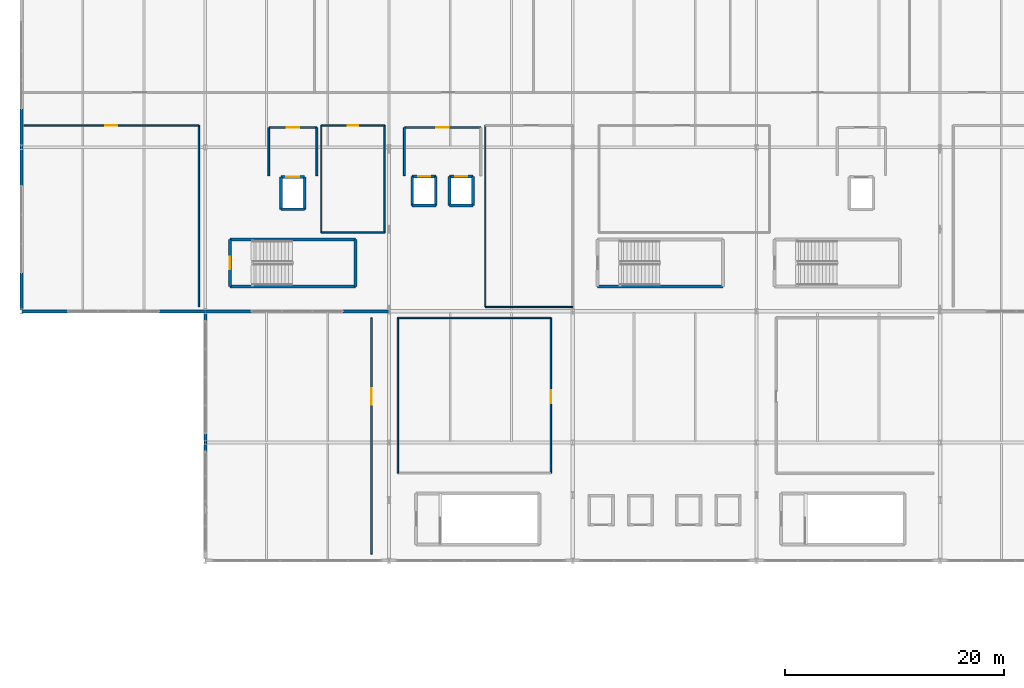
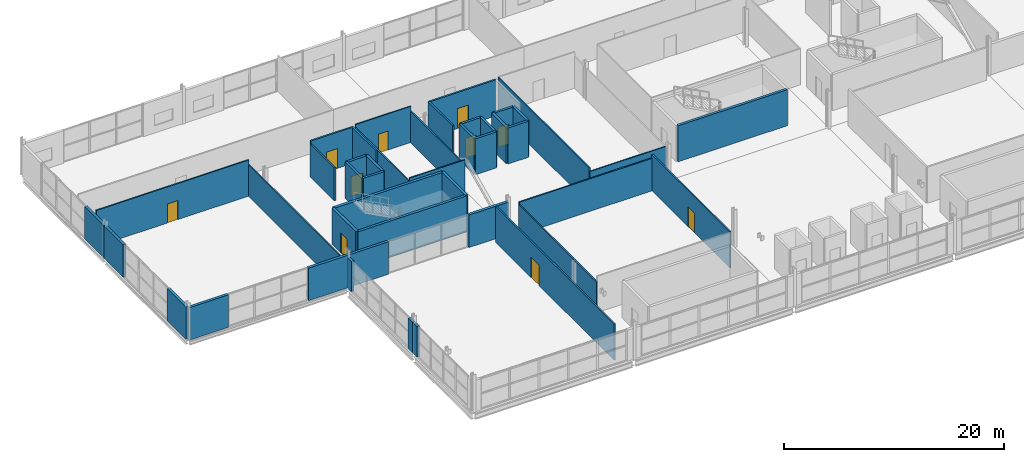
# One storey, part 31 of 39: 44 walls, 10 doors, 10 openings.
"""IFC4 building model written with IfcOpenShell, lengths in metres."""

from ifc_helpers import new_model, si_unit, direction, frame, frame_2d, origin, place, context, subcontext, project, spatial, rectangle, extrude, material, layer, layer_set, type_object, element, fill, save


model = new_model("IFC4")

# Units and contexts
model_context = context("Model", 3, precision=1e-05, world=origin(), true_north=direction((0.0, 1.0)))
body_context = subcontext(model_context, "Body", "Model", "MODEL_VIEW")
ifc_project = project(units=[si_unit("LENGTHUNIT", "METRE"), si_unit("AREAUNIT", "SQUARE_METRE"), si_unit("VOLUMEUNIT", "CUBIC_METRE"), si_unit("PLANEANGLEUNIT", "RADIAN"), si_unit("MASSUNIT", "GRAM", prefix="KILO")], contexts=[model_context])

# Site, building, storey
site_placement = place(None, origin())
site = spatial("IfcSite", under=ifc_project, at=site_placement, CompositionType="ELEMENT")
building_placement = place(site_placement, origin())
building = spatial("IfcBuilding", under=site, at=building_placement, Name="Kimbaza Rail Terminus", CompositionType="ELEMENT")
storey_placement = place(building_placement, frame((0.0, 0.0, 16.800048828125)))
storey = spatial("IfcBuildingStorey", under=building, at=storey_placement, Name="L03", CompositionType="ELEMENT", Elevation=16.800048828125)

# Walls
ifc_material_1 = material(Name="Precast concrete C40/50", Category="concrete")
ifc_layer_1 = layer(ifc_material_1, 0.280029296875)
ifc_layer_set_1 = layer_set([ifc_layer_1], Name="Precast concrete C40/50")
wall_type_1 = type_object("IfcWallType", Name="ARC-WL-EXT280", PredefinedType="STANDARD", material=ifc_layer_set_1)
for number, where, z_axis, x_axis, name in (
    (1, (55.199951171875, 103.0, 0.0), (0.0, 0.0, 1.0), (1.0, 0.0, 0.0), "Operations South Wall L03 0A"),
    (2, (67.800048828125, 103.0, 0.0), (0.0, 0.0, 1.0), (1.0, 0.0, 0.0), "Operations South Wall L03 0B"),
    (3, (72.0, 103.0, 0.0), (0.0, 0.0, 1.0), (1.0, 0.0, 0.0), "Operations South Wall L03 1A"),
    (4, (84.60009765625, 103.0, 0.0), (0.0, 0.0, 1.0), (1.0, 0.0, 0.0), "Operations South Wall L03 1B"),
):
    element("IfcWall", number, at=place(storey_placement, frame(where, z_axis=z_axis, x_axis=x_axis)), inside=storey, type_object=wall_type_1, Name=name, PredefinedType="STANDARD", context=body_context, shape_type="SweptSolid", body=[
        extrude(rectangle(XDim=4.199951171875, YDim=0.280029296875, at=frame_2d((2.10009765625, 0.0))), origin(), (0.0, 0.0, 1.0), 3.60498046875),
    ])
wall_1_placement = place(storey_placement, frame((55.199951171875, 103.139892578125, 0.0), z_axis=(0.0, 0.0, 1.0), x_axis=(0.0, 1.0, 0.0)))
element("IfcWall", 5, at=wall_1_placement, inside=storey, type_object=wall_type_1, Name="Operations W End Pier L03", PredefinedType="STANDARD", context=body_context, shape_type="SweptSolid", body=[
    extrude(rectangle(XDim=3.360107421875, YDim=0.280029296875, at=frame_2d((1.68017578125, 0.0))), origin(), (0.0, 0.0, 1.0), 3.60498046875),
])
for number, where, z_axis, x_axis, name in (
    (6, (55.199951171875, 114.5, 0.0), (0.0, 0.0, 1.0), (0.0, 1.0, 0.0), "Operations W Corner Wall L03"),
    (7, (55.199951171875, 118.0, 0.0), (0.0, 0.0, 1.0), (0.0, 1.0, 0.0), "Operations W End Pier L03"),
):
    element("IfcWall", number, at=place(storey_placement, frame(where, z_axis=z_axis, x_axis=x_axis)), inside=storey, type_object=wall_type_1, Name=name, PredefinedType="STANDARD", context=body_context, shape_type="SweptSolid", body=[
        extrude(rectangle(XDim=3.5, YDim=0.280029296875, at=frame_2d((1.75, 0.0))), origin(), (0.0, 0.0, 1.0), 3.60498046875),
    ])
for number, where, z_axis, x_axis, name in (
    (8, (72.0, 90.199951171875, 0.0), (0.0, 0.0, 1.0), (0.0, 1.0, 0.0), "Over-Track Footbridge W Panoramic Curtain Wall 1 Corner Pier B"),
    (9, (72.0, 91.0, 0.0), (0.0, 0.0, 1.0), (0.0, 1.0, 0.0), "Over-Track Footbridge W Panoramic Curtain Wall 2 Corner Pier A"),
):
    element("IfcWall", number, at=place(storey_placement, frame(where, z_axis=z_axis, x_axis=x_axis)), inside=storey, type_object=wall_type_1, Name=name, PredefinedType="STANDARD", context=body_context, shape_type="SweptSolid", body=[
        extrude(rectangle(XDim=0.800048828125, YDim=0.280029296875, at=frame_2d((0.39990234375, 0.0))), origin(), (0.0, 0.0, 1.0), 3.369873046875),
    ])
wall_2_placement = place(storey_placement, frame((72.0, 102.139892578125, 0.0), z_axis=(0.0, 0.0, 1.0), x_axis=(0.0, 1.0, 0.0)))
element("IfcWall", 10, at=wall_2_placement, inside=storey, type_object=wall_type_1, Name="Over-Track Footbridge W Panoramic Curtain Wall 2 Corner Pier B", PredefinedType="STANDARD", context=body_context, shape_type="SweptSolid", body=[
    extrude(rectangle(XDim=0.72021484375, YDim=0.280029296875, at=frame_2d((0.360107421875, 0.0))), origin(), (0.0, 0.0, 1.0), 3.369873046875),
])
ifc_material_2 = material(Name="Concrete blockwork C30/37", Category="masonry")
ifc_layer_2 = layer(ifc_material_2, 0.179931640625)
ifc_layer_set_2 = layer_set([ifc_layer_2], Name="Concrete blockwork C30/37")
wall_type_2 = type_object("IfcWallType", Name="ARC-WL-FIRE180", PredefinedType="PARTITIONING", material=ifc_layer_set_2)
wall_3_placement = place(storey_placement, frame((82.199951171875, 115.39990234375, 0.0), z_axis=(0.0, 0.0, 1.0), x_axis=(0.0, 1.0, 0.0)))
element("IfcWall", 11, at=wall_3_placement, inside=storey, type_object=wall_type_2, Name="Firefighting Lobby LF-01 Partition (east)", PredefinedType="PARTITIONING", context=body_context, shape_type="SweptSolid", body=[
    extrude(rectangle(XDim=4.400146484375, YDim=0.179931640625, at=frame_2d((2.2001953125, 0.0))), origin(), (0.0, 0.0, 1.0), 4.0),
])

# Wall, opening, door
wall_4_placement = place(storey_placement, frame((82.199951171875, 119.800048828125, 0.0), z_axis=(0.0, 0.0, 1.0), x_axis=(-1.0, 0.0, 0.0)))
wall_4 = element("IfcWall", 12, at=wall_4_placement, inside=storey, type_object=wall_type_2, Name="Firefighting Lobby LF-01 Partition (north)", PredefinedType="PARTITIONING", context=body_context, shape_type="SweptSolid", body=[
    extrude(rectangle(XDim=4.39990234375, YDim=0.179931640625, at=frame_2d((2.199951171875, 0.0))), origin(), (0.0, 0.0, 1.0), 4.0),
])
opening_1_placement = place(wall_4_placement, frame((1.625, 0.0, 0.0)))
opening_1 = element("IfcOpeningElement", 13, at=opening_1_placement, cuts=wall_4, Name="Opening FD-03", PredefinedType="OPENING", context=body_context, shape_type="SweptSolid", body=[
    extrude(rectangle(XDim=1.14990234375, YDim=2.199951171875, at=frame_2d((0.574951171875, 1.10009765625))), frame((0.0, 0.099853515625, 0.0), z_axis=(0.0, -1.0, 0.0), x_axis=(1.0, 0.0, 0.0)), (0.0, 0.0, 1.0), 0.199951171875),
])
ifc_material_3 = material(Name="Firefighting lobby self-closing steel door", Category="steel")
door_type_1 = type_object("IfcDoorType", Name="ARC-DR-FD115", OperationType="NOTDEFINED", PredefinedType="DOOR", material=ifc_material_3)
door_1_placement = place(opening_1_placement, origin())
door_1 = element("IfcDoor", 14, at=door_1_placement, inside=storey, type_object=door_type_1, Name="IDR-SPC-FFL-LF-01-L03", OperationType="SINGLE_SWING_LEFT", OverallHeight=2.199951171875, OverallWidth=1.14990234375, PredefinedType="DOOR", context=body_context, shape_type="SweptSolid", body=[
    extrude(rectangle(XDim=1.14990234375, YDim=2.199951171875, at=frame_2d((0.574951171875, 1.10009765625))), frame((0.0, 0.02490234375, 0.0), z_axis=(0.0, -1.0, 0.0), x_axis=(1.0, 0.0, 0.0)), (0.0, 0.0, 1.0), 0.050048828125),
])
fill(opening_1, door_1)

# Wall
wall_5_placement = place(storey_placement, frame((77.800048828125, 119.800048828125, 0.0), z_axis=(0.0, 0.0, 1.0), x_axis=(0.0, -1.0, 0.0)))
element("IfcWall", 15, at=wall_5_placement, inside=storey, type_object=wall_type_2, Name="Firefighting Lobby LF-01 Partition (west)", PredefinedType="PARTITIONING", context=body_context, shape_type="SweptSolid", body=[
    extrude(rectangle(XDim=4.400146484375, YDim=0.179931640625, at=frame_2d((2.2001953125, 0.0))), origin(), (0.0, 0.0, 1.0), 3.6650390625),
])

# Wall, opening, door
wall_6_placement = place(storey_placement, frame((97.199951171875, 119.800048828125, 0.0), z_axis=(0.0, 0.0, 1.0), x_axis=(-1.0, 0.0, 0.0)))
wall_6 = element("IfcWall", 16, at=wall_6_placement, inside=storey, type_object=wall_type_2, Name="Operations Lift Lobby L03 Partition (north)", PredefinedType="PARTITIONING", context=body_context, shape_type="SweptSolid", body=[
    extrude(rectangle(XDim=7.0, YDim=0.179931640625, at=frame_2d((3.5, 0.0))), origin(), (0.0, 0.0, 1.0), 4.0),
])
opening_2_placement = place(wall_6_placement, frame((2.925048828125, 0.0, 0.0)))
opening_2 = element("IfcOpeningElement", 17, at=opening_2_placement, cuts=wall_6, Name="Opening FD-03", PredefinedType="OPENING", context=body_context, shape_type="SweptSolid", body=[
    extrude(rectangle(XDim=1.14990234375, YDim=2.199951171875, at=frame_2d((0.574951171875, 1.10009765625))), frame((0.0, 0.099853515625, 0.0), z_axis=(0.0, -1.0, 0.0), x_axis=(1.0, 0.0, 0.0)), (0.0, 0.0, 1.0), 0.199951171875),
])
door_2_placement = place(opening_2_placement, origin())
door_2 = element("IfcDoor", 18, at=door_2_placement, inside=storey, type_object=door_type_1, Name="IDR-SPC-LLOB-V5-L03", OperationType="SINGLE_SWING_LEFT", OverallHeight=2.199951171875, OverallWidth=1.14990234375, PredefinedType="DOOR", context=body_context, shape_type="SweptSolid", body=[
    extrude(rectangle(XDim=1.14990234375, YDim=2.199951171875, at=frame_2d((0.574951171875, 1.10009765625))), frame((0.0, 0.02490234375, 0.0), z_axis=(0.0, -1.0, 0.0), x_axis=(1.0, 0.0, 0.0)), (0.0, 0.0, 1.0), 0.050048828125),
])
fill(opening_2, door_2)

# Walls
wall_7_placement = place(storey_placement, frame((90.199951171875, 119.800048828125, 0.0), z_axis=(0.0, 0.0, 1.0), x_axis=(0.0, -1.0, 0.0)))
element("IfcWall", 19, at=wall_7_placement, inside=storey, type_object=wall_type_2, Name="Operations Lift Lobby L03 Partition (west)", PredefinedType="PARTITIONING", context=body_context, shape_type="SweptSolid", body=[
    extrude(rectangle(XDim=4.400146484375, YDim=0.179931640625, at=frame_2d((2.2001953125, 0.0))), origin(), (0.0, 0.0, 1.0), 4.0),
])
ifc_material_4 = material(Name="Moisture-resistant stud wall", Category="gypsum")
ifc_layer_3 = layer(ifc_material_4, 0.1201171875)
ifc_layer_set_3 = layer_set([ifc_layer_3], Name="Moisture-resistant stud wall")
wall_type_3 = type_object("IfcWallType", Name="ARC-WL-PART120", PredefinedType="PARTITIONING", material=ifc_layer_set_3)
wall_8_placement = place(storey_placement, frame((97.60009765625, 103.39990234375, 0.0), z_axis=(0.0, 0.0, 1.0), x_axis=(1.0, 0.0, 0.0)))
element("IfcWall", 20, at=wall_8_placement, inside=storey, type_object=wall_type_3, Name="L03 Network Dispatch Briefing Room Partition (south)", PredefinedType="PARTITIONING", context=body_context, shape_type="SweptSolid", body=[
    extrude(rectangle(XDim=8.0, YDim=0.1201171875, at=frame_2d((4.0, 0.0))), origin(), (0.0, 0.0, 1.0), 3.60498046875),
])
wall_9_placement = place(storey_placement, frame((97.60009765625, 120.0, 0.0), z_axis=(0.0, 0.0, 1.0), x_axis=(0.0, -1.0, 0.0)))
element("IfcWall", 21, at=wall_9_placement, inside=storey, type_object=wall_type_3, Name="L03 Network Dispatch Briefing Room Partition (west)", PredefinedType="PARTITIONING", context=body_context, shape_type="SweptSolid", body=[
    extrude(rectangle(XDim=16.60009765625, YDim=0.1201171875, at=frame_2d((8.300048828125, 0.0))), origin(), (0.0, 0.0, 1.0), 4.0),
])
ifc_material_5 = material(Name="Acoustic gypsum stud partition", Category="gypsum")
ifc_layer_4 = layer(ifc_material_5, 0.1298828125)
ifc_layer_set_4 = layer_set([ifc_layer_4], Name="Acoustic gypsum stud partition")
wall_type_4 = type_object("IfcWallType", Name="ARC-WL-PART130", PredefinedType="PARTITIONING", material=ifc_layer_set_4)
wall_10_placement = place(storey_placement, frame((82.60009765625, 110.199951171875, 0.0), z_axis=(0.0, 0.0, 1.0), x_axis=(1.0, 0.0, 0.0)))
element("IfcWall", 22, at=wall_10_placement, inside=storey, type_object=wall_type_4, Name="L03 Traction Metering Workshop Partition (south)", PredefinedType="PARTITIONING", context=body_context, shape_type="SweptSolid", body=[
    extrude(rectangle(XDim=5.7998046875, YDim=0.1298828125, at=frame_2d((2.89990234375, 0.0))), origin(), (0.0, 0.0, 1.0), 4.0),
])
wall_11_placement = place(storey_placement, frame((88.39990234375, 110.199951171875, 0.0), z_axis=(0.0, 0.0, 1.0), x_axis=(0.0, 1.0, 0.0)))
element("IfcWall", 23, at=wall_11_placement, inside=storey, type_object=wall_type_4, Name="L03 Traction Metering Workshop Partition (east)", PredefinedType="PARTITIONING", context=body_context, shape_type="SweptSolid", body=[
    extrude(rectangle(XDim=9.800048828125, YDim=0.1298828125, at=frame_2d((4.89990234375, 0.0))), origin(), (0.0, 0.0, 1.0), 3.494873046875),
])

# Wall, opening, door
wall_12_placement = place(storey_placement, frame((88.39990234375, 120.0, 0.0), z_axis=(0.0, 0.0, 1.0), x_axis=(-1.0, 0.0, 0.0)))
wall_12 = element("IfcWall", 24, at=wall_12_placement, inside=storey, type_object=wall_type_4, Name="L03 Traction Metering Workshop Partition (north)", PredefinedType="PARTITIONING", context=body_context, shape_type="SweptSolid", body=[
    extrude(rectangle(XDim=5.7998046875, YDim=0.1298828125, at=frame_2d((2.89990234375, 0.0))), origin(), (0.0, 0.0, 1.0), 4.0),
])
opening_3_placement = place(wall_12_placement, frame((3.389892578125, 0.0, 0.0), z_axis=(0.0, 0.0, 1.0), x_axis=(-1.0, 0.0, 0.0)))
opening_3 = element("IfcOpeningElement", 25, at=opening_3_placement, cuts=wall_12, Name="Opening ID-10", PredefinedType="OPENING", context=body_context, shape_type="SweptSolid", body=[
    extrude(rectangle(XDim=0.97998046875, YDim=2.10009765625, at=frame_2d((0.489990234375, 1.050048828125))), frame((0.0, 0.074951171875, 0.0), z_axis=(0.0, -1.0, 0.0), x_axis=(1.0, 0.0, 0.0)), (0.0, 0.0, 1.0), 0.14990234375),
])
ifc_material_6 = material(Name="Washroom suite privacy door", Category="wood")
door_type_2 = type_object("IfcDoorType", Name="ARC-DR-ID098", OperationType="NOTDEFINED", PredefinedType="DOOR", material=ifc_material_6)
door_3_placement = place(opening_3_placement, origin())
door_3 = element("IfcDoor", 26, at=door_3_placement, inside=storey, type_object=door_type_2, Name="IDR-SPC-V5S-L03-2", OperationType="SINGLE_SWING_LEFT", OverallHeight=2.10009765625, OverallWidth=0.97998046875, PredefinedType="DOOR", context=body_context, shape_type="SweptSolid", body=[
    extrude(rectangle(XDim=0.97998046875, YDim=2.10009765625, at=frame_2d((0.489990234375, 1.050048828125))), frame((0.0, 0.02490234375, 0.0), z_axis=(0.0, -1.0, 0.0), x_axis=(1.0, 0.0, 0.0)), (0.0, 0.0, 1.0), 0.050048828125),
])
fill(opening_3, door_3)

# Walls
wall_13_placement = place(storey_placement, frame((82.60009765625, 120.0, 0.0), z_axis=(0.0, 0.0, 1.0), x_axis=(0.0, -1.0, 0.0)))
element("IfcWall", 27, at=wall_13_placement, inside=storey, type_object=wall_type_4, Name="L03 Traction Metering Workshop Partition (west)", PredefinedType="PARTITIONING", context=body_context, shape_type="SweptSolid", body=[
    extrude(rectangle(XDim=9.800048828125, YDim=0.1298828125, at=frame_2d((4.89990234375, 0.0))), origin(), (0.0, 0.0, 1.0), 3.6650390625),
])
ifc_material_7 = material(Name="Acoustic gypsum stud partition", Category="gypsum")
ifc_layer_5 = layer(ifc_material_7, 0.139892578125)
ifc_layer_set_5 = layer_set([ifc_layer_5], Name="Acoustic gypsum stud partition")
wall_type_5 = type_object("IfcWallType", Name="ARC-WL-PART140", PredefinedType="PARTITIONING", material=ifc_layer_set_5)
wall_14_placement = place(storey_placement, frame((71.39990234375, 103.39990234375, 0.0), z_axis=(0.0, 0.0, 1.0), x_axis=(0.0, 1.0, 0.0)))
element("IfcWall", 28, at=wall_14_placement, inside=storey, type_object=wall_type_5, Name="L03 West Signalling Design Office Partition (east)", PredefinedType="PARTITIONING", context=body_context, shape_type="SweptSolid", body=[
    extrude(rectangle(XDim=16.60009765625, YDim=0.139892578125, at=frame_2d((8.300048828125, 0.0))), origin(), (0.0, 0.0, 1.0), 3.494873046875),
])

# Wall, opening, door
wall_15_placement = place(storey_placement, frame((71.39990234375, 120.0, 0.0), z_axis=(0.0, 0.0, 1.0), x_axis=(-1.0, 0.0, 0.0)))
wall_15 = element("IfcWall", 29, at=wall_15_placement, inside=storey, type_object=wall_type_5, Name="L03 West Signalling Design Office Partition (north)", PredefinedType="PARTITIONING", context=body_context, shape_type="SweptSolid", body=[
    extrude(rectangle(XDim=16.0, YDim=0.139892578125, at=frame_2d((8.0, 0.0))), origin(), (0.0, 0.0, 1.0), 4.0),
])
opening_4_placement = place(wall_15_placement, frame((7.4599609375, 0.0, 0.0)))
opening_4 = element("IfcOpeningElement", 30, at=opening_4_placement, cuts=wall_15, Name="Opening ID-09", PredefinedType="OPENING", context=body_context, shape_type="SweptSolid", body=[
    extrude(rectangle(XDim=1.080078125, YDim=2.10009765625, at=frame_2d((0.5400390625, 1.050048828125))), frame((0.0, 0.079833984375, 0.0), z_axis=(0.0, -1.0, 0.0), x_axis=(1.0, 0.0, 0.0)), (0.0, 0.0, 1.0), 0.159912109375),
])
ifc_material_8 = material(Name="Signalling technical suite door", Category="steel")
door_type_3 = type_object("IfcDoorType", Name="ARC-DR-ID108", OperationType="NOTDEFINED", PredefinedType="DOOR", material=ifc_material_8)
door_4_placement = place(opening_4_placement, origin())
door_4 = element("IfcDoor", 31, at=door_4_placement, inside=storey, type_object=door_type_3, Name="IDR-SPC-V5S-L03-1", OperationType="SINGLE_SWING_RIGHT", OverallHeight=2.10009765625, OverallWidth=1.080078125, PredefinedType="DOOR", context=body_context, shape_type="SweptSolid", body=[
    extrude(rectangle(XDim=1.080078125, YDim=2.10009765625, at=frame_2d((0.5400390625, 1.050048828125))), frame((0.0, 0.02490234375, 0.0), z_axis=(0.0, -1.0, 0.0), x_axis=(1.0, 0.0, 0.0)), (0.0, 0.0, 1.0), 0.050048828125),
])
fill(opening_4, door_4)

wall_16_placement = place(storey_placement, frame((103.60009765625, 88.199951171875, 0.0), z_axis=(0.0, 0.0, 1.0), x_axis=(0.0, 1.0, 0.0)))
wall_16 = element("IfcWall", 32, at=wall_16_placement, inside=storey, type_object=wall_type_5, Name="Platform Dispatch Observation Suite Partition (east)", PredefinedType="PARTITIONING", context=body_context, shape_type="SweptSolid", body=[
    extrude(rectangle(XDim=14.199951171875, YDim=0.139892578125, at=frame_2d((7.10009765625, 0.0))), origin(), (0.0, 0.0, 1.0), 4.0),
])
opening_5_placement = place(wall_16_placement, frame((6.39990234375, 0.0, 0.0)))
opening_5 = element("IfcOpeningElement", 33, at=opening_5_placement, cuts=wall_16, Name="Opening ID-03", PredefinedType="OPENING", context=body_context, shape_type="SweptSolid", body=[
    extrude(rectangle(XDim=1.199951171875, YDim=2.199951171875, at=frame_2d((0.60009765625, 1.10009765625))), frame((0.0, 0.079833984375, 0.0), z_axis=(0.0, -1.0, 0.0), x_axis=(1.0, 0.0, 0.0)), (0.0, 0.0, 1.0), 0.159912109375),
])
ifc_material_9 = material(Name="Hardwood veneer acoustic room door", Category="wood")
door_type_4 = type_object("IfcDoorType", Name="ARC-DR-ID120", OperationType="NOTDEFINED", PredefinedType="DOOR", material=ifc_material_9)
door_5_placement = place(opening_5_placement, origin())
door_5 = element("IfcDoor", 34, at=door_5_placement, inside=storey, type_object=door_type_4, Name="IDR-SPC-L03-DUTY", OperationType="SINGLE_SWING_LEFT", OverallHeight=2.199951171875, OverallWidth=1.199951171875, PredefinedType="DOOR", context=body_context, shape_type="SweptSolid", body=[
    extrude(rectangle(XDim=1.199951171875, YDim=2.199951171875, at=frame_2d((0.60009765625, 1.10009765625))), frame((0.0, 0.02490234375, 0.0), z_axis=(0.0, -1.0, 0.0), x_axis=(1.0, 0.0, 0.0)), (0.0, 0.0, 1.0), 0.050048828125),
])
fill(opening_5, door_5)

# Walls
wall_17_placement = place(storey_placement, frame((103.60009765625, 102.39990234375, 0.0), z_axis=(0.0, 0.0, 1.0), x_axis=(-1.0, 0.0, 0.0)))
element("IfcWall", 35, at=wall_17_placement, inside=storey, type_object=wall_type_5, Name="Platform Dispatch Observation Suite Partition (north)", PredefinedType="PARTITIONING", context=body_context, shape_type="SweptSolid", body=[
    extrude(rectangle(XDim=14.0, YDim=0.139892578125, at=frame_2d((7.0, 0.0))), origin(), (0.0, 0.0, 1.0), 3.60498046875),
])
wall_18_placement = place(storey_placement, frame((89.60009765625, 102.39990234375, 0.0), z_axis=(0.0, 0.0, 1.0), x_axis=(0.0, -1.0, 0.0)))
element("IfcWall", 36, at=wall_18_placement, inside=storey, type_object=wall_type_5, Name="Platform Dispatch Observation Suite Partition (west)", PredefinedType="PARTITIONING", context=body_context, shape_type="SweptSolid", body=[
    extrude(rectangle(XDim=14.199951171875, YDim=0.139892578125, at=frame_2d((7.10009765625, 0.0))), origin(), (0.0, 0.0, 1.0), 3.369873046875),
])

# Wall, opening, door
ifc_material_10 = material(Name="Acoustic gypsum stud partition", Category="gypsum")
ifc_layer_6 = layer(ifc_material_10, 0.159912109375)
ifc_layer_set_6 = layer_set([ifc_layer_6], Name="Acoustic gypsum stud partition")
wall_type_6 = type_object("IfcWallType", Name="ARC-WL-PART160", PredefinedType="PARTITIONING", material=ifc_layer_set_6)
wall_19_placement = place(storey_placement, frame((87.199951171875, 80.800048828125, 0.0), z_axis=(0.0, 0.0, 1.0), x_axis=(0.0, 1.0, 0.0)))
wall_19 = element("IfcWall", 37, at=wall_19_placement, inside=storey, type_object=wall_type_6, Name="Premier Intercity Business Lounge Partition (east)", PredefinedType="PARTITIONING", context=body_context, shape_type="SweptSolid", body=[
    extrude(rectangle(XDim=21.599853515625, YDim=0.159912109375, at=frame_2d((10.7998046875, 0.0))), origin(), (0.0, 0.0, 1.0), 4.0),
])
opening_6_placement = place(wall_19_placement, frame((15.14990234375, 0.0, 0.0), z_axis=(0.0, 0.0, 1.0), x_axis=(-1.0, 0.0, 0.0)))
opening_6 = element("IfcOpeningElement", 38, at=opening_6_placement, cuts=wall_19, Name="Opening ID-01", PredefinedType="OPENING", context=body_context, shape_type="SweptSolid", body=[
    extrude(rectangle(XDim=1.5, YDim=2.25, at=frame_2d((0.75, 1.125))), frame((0.0, 0.08984375, 0.0), z_axis=(0.0, -1.0, 0.0), x_axis=(1.0, 0.0, 0.0)), (0.0, 0.0, 1.0), 0.179931640625),
])
ifc_material_11 = material(Name="Anodised aluminium glazed concourse door", Category="aluminium")
door_type_5 = type_object("IfcDoorType", Name="ARC-DR-ID150", OperationType="NOTDEFINED", PredefinedType="DOOR", material=ifc_material_11)
door_6_placement = place(opening_6_placement, origin())
door_6 = element("IfcDoor", 39, at=door_6_placement, inside=storey, type_object=door_type_5, Name="IDR-SPC-L03-BLNG", OperationType="SINGLE_SWING_RIGHT", OverallHeight=2.25, OverallWidth=1.5, PredefinedType="DOOR", context=body_context, shape_type="SweptSolid", body=[
    extrude(rectangle(XDim=1.5, YDim=2.25, at=frame_2d((0.75, 1.125))), frame((0.0, 0.02490234375, 0.0), z_axis=(0.0, -1.0, 0.0), x_axis=(1.0, 0.0, 0.0)), (0.0, 0.0, 1.0), 0.050048828125),
])
fill(opening_6, door_6)

# Walls
ifc_material_12 = material(Name="Concrete C40/50", Category="concrete")
ifc_layer_7 = layer(ifc_material_12, 0.25)
ifc_layer_set_7 = layer_set([ifc_layer_7], Name="Concrete C40/50")
wall_type_7 = type_object("IfcWallType", Name="STR-WL-CORE250", PredefinedType="SHEAR", material=ifc_layer_set_7)
wall_20_placement = place(storey_placement, frame((90.919921875, 112.669921875, 0.0), z_axis=(0.0, 0.0, 1.0), x_axis=(1.0, 0.0, 0.0)))
element("IfcWall", 40, at=wall_20_placement, inside=storey, type_object=wall_type_7, Name="Lift Shaft Wall LP-08 L03-1", PredefinedType="SHEAR", context=body_context, shape_type="SweptSolid", body=[
    extrude(rectangle(XDim=2.16015625, YDim=0.25, at=frame_2d((1.080078125, 0.0))), origin(), (0.0, 0.0, 1.0), 4.0),
])
wall_21_placement = place(storey_placement, frame((93.080078125, 112.669921875, 0.0), z_axis=(0.0, 0.0, 1.0), x_axis=(0.0, 1.0, 0.0)))
element("IfcWall", 41, at=wall_21_placement, inside=storey, type_object=wall_type_7, Name="Lift Shaft Wall LP-08 L03-2", PredefinedType="SHEAR", context=body_context, shape_type="SweptSolid", body=[
    extrude(rectangle(XDim=2.66015625, YDim=0.25, at=frame_2d((1.330078125, 0.0))), origin(), (0.0, 0.0, 1.0), 4.0),
])

# Wall, opening, door
wall_22_placement = place(storey_placement, frame((93.080078125, 115.330078125, 0.0), z_axis=(0.0, 0.0, 1.0), x_axis=(-1.0, 0.0, 0.0)))
wall_22 = element("IfcWall", 42, at=wall_22_placement, inside=storey, type_object=wall_type_7, Name="Lift Shaft Wall LP-08 L03-3", PredefinedType="SHEAR", context=body_context, shape_type="SweptSolid", body=[
    extrude(rectangle(XDim=2.16015625, YDim=0.25, at=frame_2d((1.080078125, 0.0))), origin(), (0.0, 0.0, 1.0), 4.0),
])
opening_7_placement = place(wall_22_placement, frame((0.530029296875, 0.0, 0.0)))
opening_7 = element("IfcOpeningElement", 43, at=opening_7_placement, cuts=wall_22, Name="Opening LD-01", PredefinedType="OPENING", context=body_context, shape_type="SweptSolid", body=[
    extrude(rectangle(XDim=1.10009765625, YDim=2.199951171875, at=frame_2d((0.550048828125, 1.10009765625))), frame((0.0, 0.135009765625, 0.0), z_axis=(0.0, -1.0, 0.0), x_axis=(1.0, 0.0, 0.0)), (0.0, 0.0, 1.0), 0.27001953125),
])
ifc_material_13 = material(Name="Brushed stainless steel sliding landing door", Category="steel")
door_type_6 = type_object("IfcDoorType", Name="ARC-DR-LD110", OperationType="NOTDEFINED", PredefinedType="DOOR", material=ifc_material_13)
door_7_placement = place(opening_7_placement, origin())
door_7 = element("IfcDoor", 44, at=door_7_placement, inside=storey, type_object=door_type_6, Name="LDR-LP-08-L03", OperationType="SLIDING_TO_LEFT", OverallHeight=2.199951171875, OverallWidth=1.10009765625, PredefinedType="DOOR", context=body_context, shape_type="SweptSolid", body=[
    extrude(rectangle(XDim=1.10009765625, YDim=2.199951171875, at=frame_2d((0.550048828125, 1.10009765625))), frame((0.0, 0.02490234375, 0.0), z_axis=(0.0, -1.0, 0.0), x_axis=(1.0, 0.0, 0.0)), (0.0, 0.0, 1.0), 0.050048828125),
])
fill(opening_7, door_7)

# Walls
wall_23_placement = place(storey_placement, frame((90.919921875, 115.330078125, 0.0), z_axis=(0.0, 0.0, 1.0), x_axis=(0.0, -1.0, 0.0)))
element("IfcWall", 45, at=wall_23_placement, inside=storey, type_object=wall_type_7, Name="Lift Shaft Wall LP-08 L03-4", PredefinedType="SHEAR", context=body_context, shape_type="SweptSolid", body=[
    extrude(rectangle(XDim=2.66015625, YDim=0.25, at=frame_2d((1.330078125, 0.0))), origin(), (0.0, 0.0, 1.0), 4.0),
])
wall_24_placement = place(storey_placement, frame((94.320068359375, 112.669921875, 0.0), z_axis=(0.0, 0.0, 1.0), x_axis=(1.0, 0.0, 0.0)))
element("IfcWall", 46, at=wall_24_placement, inside=storey, type_object=wall_type_7, Name="Lift Shaft Wall LP-09 L03-1", PredefinedType="SHEAR", context=body_context, shape_type="SweptSolid", body=[
    extrude(rectangle(XDim=2.159912109375, YDim=0.25, at=frame_2d((1.080078125, 0.0))), origin(), (0.0, 0.0, 1.0), 4.0),
])
wall_25_placement = place(storey_placement, frame((96.47998046875, 112.669921875, 0.0), z_axis=(0.0, 0.0, 1.0), x_axis=(0.0, 1.0, 0.0)))
element("IfcWall", 47, at=wall_25_placement, inside=storey, type_object=wall_type_7, Name="Lift Shaft Wall LP-09 L03-2", PredefinedType="SHEAR", context=body_context, shape_type="SweptSolid", body=[
    extrude(rectangle(XDim=2.66015625, YDim=0.25, at=frame_2d((1.330078125, 0.0))), origin(), (0.0, 0.0, 1.0), 4.0),
])

# Wall, opening, door
wall_26_placement = place(storey_placement, frame((96.47998046875, 115.330078125, 0.0), z_axis=(0.0, 0.0, 1.0), x_axis=(-1.0, 0.0, 0.0)))
wall_26 = element("IfcWall", 48, at=wall_26_placement, inside=storey, type_object=wall_type_7, Name="Lift Shaft Wall LP-09 L03-3", PredefinedType="SHEAR", context=body_context, shape_type="SweptSolid", body=[
    extrude(rectangle(XDim=2.159912109375, YDim=0.25, at=frame_2d((1.080078125, 0.0))), origin(), (0.0, 0.0, 1.0), 4.0),
])
opening_8_placement = place(wall_26_placement, frame((0.530029296875, 0.0, 0.0)))
opening_8 = element("IfcOpeningElement", 49, at=opening_8_placement, cuts=wall_26, Name="Opening LD-01", PredefinedType="OPENING", context=body_context, shape_type="SweptSolid", body=[
    extrude(rectangle(XDim=1.10009765625, YDim=2.199951171875, at=frame_2d((0.550048828125, 1.10009765625))), frame((0.0, 0.135009765625, 0.0), z_axis=(0.0, -1.0, 0.0), x_axis=(1.0, 0.0, 0.0)), (0.0, 0.0, 1.0), 0.27001953125),
])
door_8_placement = place(opening_8_placement, origin())
door_8 = element("IfcDoor", 50, at=door_8_placement, inside=storey, type_object=door_type_6, Name="LDR-LP-09-L03", OperationType="SLIDING_TO_LEFT", OverallHeight=2.199951171875, OverallWidth=1.10009765625, PredefinedType="DOOR", context=body_context, shape_type="SweptSolid", body=[
    extrude(rectangle(XDim=1.10009765625, YDim=2.199951171875, at=frame_2d((0.550048828125, 1.10009765625))), frame((0.0, 0.02490234375, 0.0), z_axis=(0.0, -1.0, 0.0), x_axis=(1.0, 0.0, 0.0)), (0.0, 0.0, 1.0), 0.050048828125),
])
fill(opening_8, door_8)

# Walls
wall_27_placement = place(storey_placement, frame((94.320068359375, 115.330078125, 0.0), z_axis=(0.0, 0.0, 1.0), x_axis=(0.0, -1.0, 0.0)))
element("IfcWall", 51, at=wall_27_placement, inside=storey, type_object=wall_type_7, Name="Lift Shaft Wall LP-09 L03-4", PredefinedType="SHEAR", context=body_context, shape_type="SweptSolid", body=[
    extrude(rectangle(XDim=2.66015625, YDim=0.25, at=frame_2d((1.330078125, 0.0))), origin(), (0.0, 0.0, 1.0), 4.0),
])
wall_28_placement = place(storey_placement, frame((78.919921875, 112.320068359375, 0.0), z_axis=(0.0, 0.0, 1.0), x_axis=(1.0, 0.0, 0.0)))
element("IfcWall", 52, at=wall_28_placement, inside=storey, type_object=wall_type_7, Name="Lift Shaft Wall LF-01 L03-1", PredefinedType="SHEAR", context=body_context, shape_type="SweptSolid", body=[
    extrude(rectangle(XDim=2.16015625, YDim=0.25, at=frame_2d((1.080078125, 0.0))), origin(), (0.0, 0.0, 1.0), 4.0),
])
wall_29_placement = place(storey_placement, frame((81.080078125, 112.320068359375, 0.0), z_axis=(0.0, 0.0, 1.0), x_axis=(0.0, 1.0, 0.0)))
element("IfcWall", 53, at=wall_29_placement, inside=storey, type_object=wall_type_7, Name="Lift Shaft Wall LF-01 L03-2", PredefinedType="SHEAR", context=body_context, shape_type="SweptSolid", body=[
    extrude(rectangle(XDim=2.9599609375, YDim=0.25, at=frame_2d((1.47998046875, 0.0))), origin(), (0.0, 0.0, 1.0), 4.0),
])

# Wall, opening, door
wall_30_placement = place(storey_placement, frame((81.080078125, 115.280029296875, 0.0), z_axis=(0.0, 0.0, 1.0), x_axis=(-1.0, 0.0, 0.0)))
wall_30 = element("IfcWall", 54, at=wall_30_placement, inside=storey, type_object=wall_type_7, Name="Lift Shaft Wall LF-01 L03-3", PredefinedType="SHEAR", context=body_context, shape_type="SweptSolid", body=[
    extrude(rectangle(XDim=2.16015625, YDim=0.25, at=frame_2d((1.080078125, 0.0))), origin(), (0.0, 0.0, 1.0), 4.0),
])
opening_9_placement = place(wall_30_placement, frame((0.47998046875, 0.0, 0.0)))
opening_9 = element("IfcOpeningElement", 55, at=opening_9_placement, cuts=wall_30, Name="Opening LD-02", PredefinedType="OPENING", context=body_context, shape_type="SweptSolid", body=[
    extrude(rectangle(XDim=1.199951171875, YDim=2.199951171875, at=frame_2d((0.60009765625, 1.10009765625))), frame((0.0, 0.135009765625, 0.0), z_axis=(0.0, -1.0, 0.0), x_axis=(1.0, 0.0, 0.0)), (0.0, 0.0, 1.0), 0.27001953125),
])
ifc_material_14 = material(Name="Firefighting stainless steel landing door", Category="steel")
door_type_7 = type_object("IfcDoorType", Name="ARC-DR-LD120", OperationType="NOTDEFINED", PredefinedType="DOOR", material=ifc_material_14)
door_9_placement = place(opening_9_placement, origin())
door_9 = element("IfcDoor", 56, at=door_9_placement, inside=storey, type_object=door_type_7, Name="LDR-LF-01-L03", OperationType="SLIDING_TO_LEFT", OverallHeight=2.199951171875, OverallWidth=1.199951171875, PredefinedType="DOOR", context=body_context, shape_type="SweptSolid", body=[
    extrude(rectangle(XDim=1.199951171875, YDim=2.199951171875, at=frame_2d((0.60009765625, 1.10009765625))), frame((0.0, 0.02490234375, 0.0), z_axis=(0.0, -1.0, 0.0), x_axis=(1.0, 0.0, 0.0)), (0.0, 0.0, 1.0), 0.050048828125),
])
fill(opening_9, door_9)

# Walls
wall_31_placement = place(storey_placement, frame((78.919921875, 115.280029296875, 0.0), z_axis=(0.0, 0.0, 1.0), x_axis=(0.0, -1.0, 0.0)))
element("IfcWall", 57, at=wall_31_placement, inside=storey, type_object=wall_type_7, Name="Lift Shaft Wall LF-01 L03-4", PredefinedType="SHEAR", context=body_context, shape_type="SweptSolid", body=[
    extrude(rectangle(XDim=2.9599609375, YDim=0.25, at=frame_2d((1.47998046875, 0.0))), origin(), (0.0, 0.0, 1.0), 4.0),
])
ifc_material_15 = material(Name="Concrete C40/50", Category="concrete")
ifc_layer_8 = layer(ifc_material_15, 0.280029296875)
ifc_layer_set_8 = layer_set([ifc_layer_8], Name="Concrete C40/50")
wall_type_8 = type_object("IfcWallType", Name="STR-WL-CORE280", PredefinedType="SHEAR", material=ifc_layer_set_8)
wall_32_placement = place(storey_placement, frame((74.260009765625, 105.260009765625, 0.0), z_axis=(0.0, 0.0, 1.0), x_axis=(1.0, 0.0, 0.0)))
element("IfcWall", 58, at=wall_32_placement, inside=storey, type_object=wall_type_8, Name="Operations West Exit Stair Shaft Wall L03-1", PredefinedType="SHEAR", context=body_context, shape_type="SweptSolid", body=[
    extrude(rectangle(XDim=11.47998046875, YDim=0.280029296875, at=frame_2d((5.739990234375, 0.0))), origin(), (0.0, 0.0, 1.0), 4.0),
])
wall_33_placement = place(storey_placement, frame((85.739990234375, 105.260009765625, 0.0), z_axis=(0.0, 0.0, 1.0), x_axis=(0.0, 1.0, 0.0)))
element("IfcWall", 59, at=wall_33_placement, inside=storey, type_object=wall_type_8, Name="Operations West Exit Stair Shaft Wall L03-2", PredefinedType="SHEAR", context=body_context, shape_type="SweptSolid", body=[
    extrude(rectangle(XDim=4.320068359375, YDim=0.280029296875, at=frame_2d((2.16015625, 0.0))), origin(), (0.0, 0.0, 1.0), 4.0),
])
wall_34_placement = place(storey_placement, frame((85.739990234375, 109.580078125, 0.0), z_axis=(0.0, 0.0, 1.0), x_axis=(-1.0, 0.0, 0.0)))
element("IfcWall", 60, at=wall_34_placement, inside=storey, type_object=wall_type_8, Name="Operations West Exit Stair Shaft Wall L03-3", PredefinedType="SHEAR", context=body_context, shape_type="SweptSolid", body=[
    extrude(rectangle(XDim=11.47998046875, YDim=0.280029296875, at=frame_2d((5.739990234375, 0.0))), origin(), (0.0, 0.0, 1.0), 4.0),
])

# Wall, opening, door
wall_35_placement = place(storey_placement, frame((74.260009765625, 109.580078125, 0.0), z_axis=(0.0, 0.0, 1.0), x_axis=(0.0, -1.0, 0.0)))
wall_35 = element("IfcWall", 61, at=wall_35_placement, inside=storey, type_object=wall_type_8, Name="Operations West Exit Stair Shaft Wall L03-4", PredefinedType="SHEAR", context=body_context, shape_type="SweptSolid", body=[
    extrude(rectangle(XDim=4.320068359375, YDim=0.280029296875, at=frame_2d((2.16015625, 0.0))), origin(), (0.0, 0.0, 1.0), 4.0),
])
opening_10_placement = place(wall_35_placement, frame((1.5849609375, 0.0, 0.0)))
opening_10 = element("IfcOpeningElement", 62, at=opening_10_placement, cuts=wall_35, Name="Opening FD-03", PredefinedType="OPENING", context=body_context, shape_type="SweptSolid", body=[
    extrude(rectangle(XDim=1.14990234375, YDim=2.199951171875, at=frame_2d((0.574951171875, 1.10009765625))), frame((0.0, 0.14990234375, 0.0), z_axis=(0.0, -1.0, 0.0), x_axis=(1.0, 0.0, 0.0)), (0.0, 0.0, 1.0), 0.300048828125),
])
door_10_placement = place(opening_10_placement, origin())
door_10 = element("IfcDoor", 63, at=door_10_placement, inside=storey, type_object=door_type_1, Name="SDR-ST-W1-L03", OperationType="SINGLE_SWING_LEFT", OverallHeight=2.199951171875, OverallWidth=1.14990234375, PredefinedType="DOOR", context=body_context, shape_type="SweptSolid", body=[
    extrude(rectangle(XDim=1.14990234375, YDim=2.199951171875, at=frame_2d((0.574951171875, 1.10009765625))), frame((0.0, 0.02490234375, 0.0), z_axis=(0.0, -1.0, 0.0), x_axis=(1.0, 0.0, 0.0)), (0.0, 0.0, 1.0), 0.050048828125),
])
fill(opening_10, door_10)

# Wall
wall_36_placement = place(storey_placement, frame((107.860107421875, 105.260009765625, 0.0), z_axis=(0.0, 0.0, 1.0), x_axis=(1.0, 0.0, 0.0)))
element("IfcWall", 64, at=wall_36_placement, inside=storey, type_object=wall_type_8, Name="Operations Central Exit Stair Shaft Wall L03-1", PredefinedType="SHEAR", context=body_context, shape_type="SweptSolid", body=[
    extrude(rectangle(XDim=11.47998046875, YDim=0.280029296875, at=frame_2d((5.739990234375, 0.0))), origin(), (0.0, 0.0, 1.0), 4.0),
])

save(model, "model.ifc")
